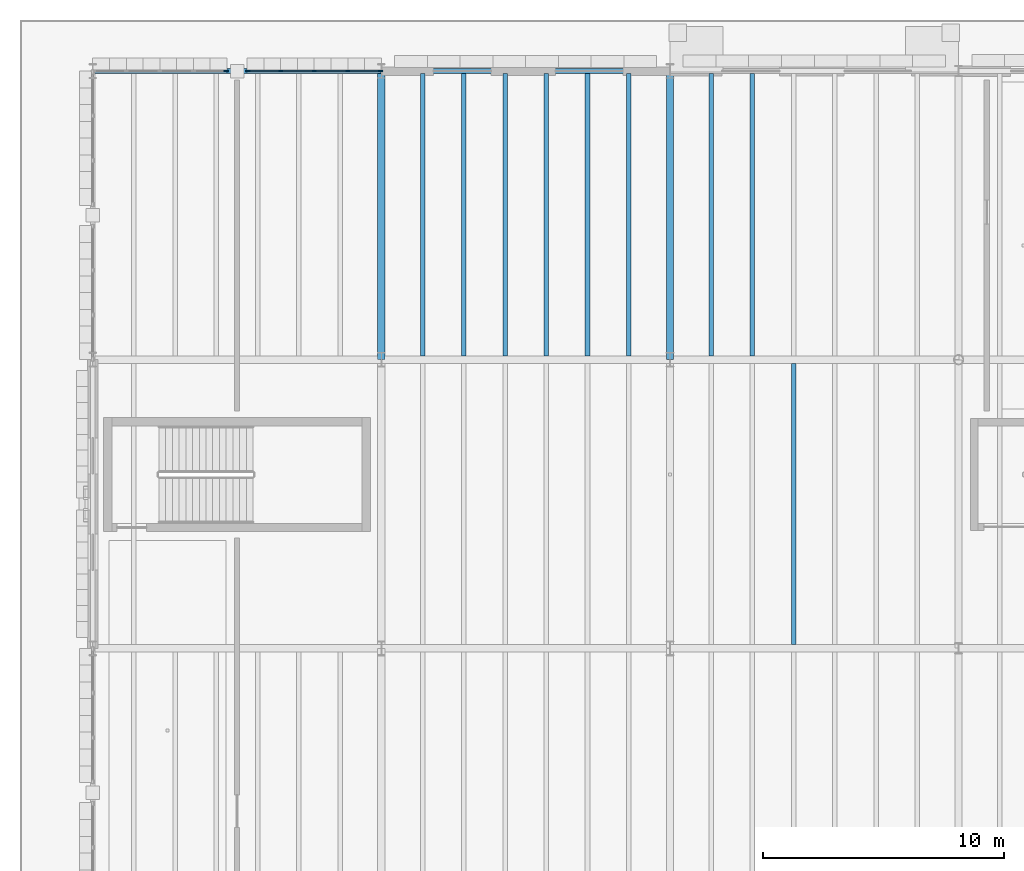
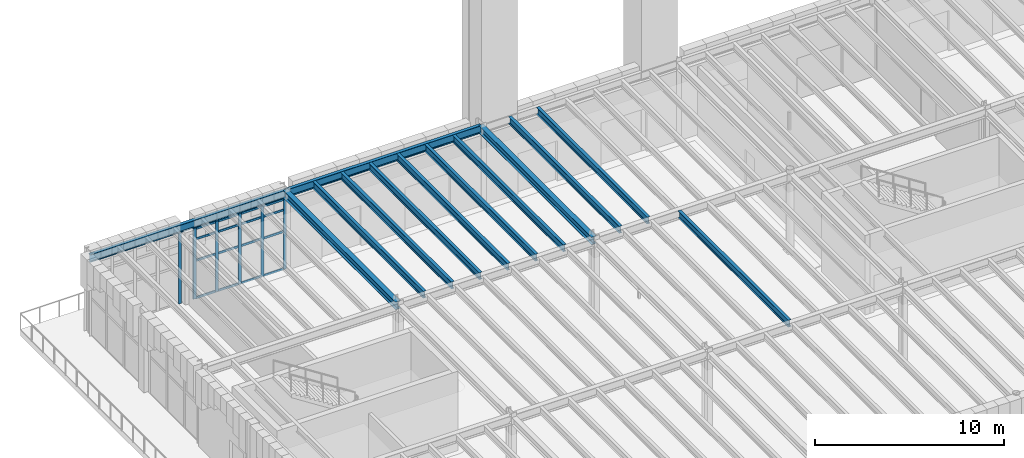
# One storey, part 23 of 103: 22 members, 13 beams, 2 elements without a shape of their own.
"""IFC4 building model written with IfcOpenShell, lengths in metres."""

from ifc_helpers import new_model, si_unit, direction, frame, origin, origin_2d, place, context, subcontext, project, spatial, rectangle, i_section, extrude, material, layer, layer_set, material_profile, profile_set, type_object, element, aggregate, save


model = new_model("IFC4")

# Units and contexts
model_context = context("Model", 3, precision=1e-05, world=origin(), true_north=direction((0.0, 1.0)))
body_context = subcontext(model_context, "Body", "Model", "MODEL_VIEW")
ifc_project = project(units=[si_unit("LENGTHUNIT", "METRE"), si_unit("AREAUNIT", "SQUARE_METRE"), si_unit("VOLUMEUNIT", "CUBIC_METRE"), si_unit("PLANEANGLEUNIT", "RADIAN"), si_unit("MASSUNIT", "GRAM", prefix="KILO")], contexts=[model_context])

# Site, building, storey
site_placement = place(None, origin())
site = spatial("IfcSite", under=ifc_project, at=site_placement, CompositionType="ELEMENT")
building_placement = place(site_placement, origin())
building = spatial("IfcBuilding", under=site, at=building_placement, Name="Zlatogorsky Bluff Art Gallery", CompositionType="ELEMENT")
storey_placement = place(building_placement, origin())
storey = spatial("IfcBuildingStorey", under=building, at=storey_placement, Name="L00", CompositionType="ELEMENT", Elevation=0.0)

# Beams
ifc_material_1 = material(Name="Steel S355", Category="steel")
ifc_material_profile_1 = material_profile(ifc_material_1, i_section(OverallWidth=0.300048828125, OverallDepth=0.489990234375, WebThickness=0.011962890625, FlangeThickness=0.02294921875, FilletRadius=0.027099609375, at=origin_2d()), Name="HEA 500")
ifc_profile_set_1 = profile_set([ifc_material_profile_1], Name="Steel S355")
beam_type_1 = type_object("IfcBeamType", Name="Beam BM-07 HEA 500", PredefinedType="BEAM", material=ifc_profile_set_1)
for number, where, z_axis, x_axis, name in (
    (1, (12.0, 108.014892578125, 4.89501953125), (0.0, 1.0, 0.0), (-1.0, 0.0, 0.0), "Primary girder BM-07 L00 B/11-12"),
    (2, (24.0, 108.014892578125, 4.89501953125), (0.0, 1.0, 0.0), (-1.0, 0.0, 0.0), "Primary girder BM-07 L00 C/11-12"),
):
    element("IfcBeam", number, at=place(storey_placement, frame(where, z_axis=z_axis, x_axis=x_axis)), inside=storey, type_object=beam_type_1, Name=name, PredefinedType="BEAM", context=body_context, shape_type="SweptSolid", body=[
        extrude(i_section(OverallWidth=0.300048828125, OverallDepth=0.489990234375, WebThickness=0.011962890625, FlangeThickness=0.02294921875, FilletRadius=0.027099609375, at=origin_2d()), origin(), (0.0, 0.0, 1.0), 11.97021484375),
    ])
ifc_material_profile_2 = material_profile(ifc_material_1, i_section(OverallWidth=0.18994140625, OverallDepth=0.449951171875, WebThickness=0.009521484375, FlangeThickness=0.0146484375, FilletRadius=0.02099609375, at=origin_2d()), Name="IPE 450")
ifc_profile_set_2 = profile_set([ifc_material_profile_2], Name="Steel S355")
beam_type_2 = type_object("IfcBeamType", Name="Beam JS-06 IPE 450", PredefinedType="JOIST", material=ifc_profile_set_2)
for number, where, z_axis, x_axis, name in (
    (3, (13.71435546875, 108.14990234375, 4.9150390625), (0.0, 1.0, 0.0), (-1.0, 0.0, 0.0), "Composite floor joist JS-06 L00 01.10.1"),
    (4, (15.428466796875, 108.14990234375, 4.9150390625), (0.0, 1.0, 0.0), (-1.0, 0.0, 0.0), "Composite floor joist JS-06 L00 01.10.2"),
    (5, (17.142822265625, 108.14990234375, 4.9150390625), (0.0, 1.0, 0.0), (-1.0, 0.0, 0.0), "Composite floor joist JS-06 L00 01.10.3"),
    (6, (18.857177734375, 108.14990234375, 4.9150390625), (0.0, 1.0, 0.0), (-1.0, 0.0, 0.0), "Composite floor joist JS-06 L00 01.10.4"),
    (7, (20.571533203125, 108.14990234375, 4.9150390625), (0.0, 1.0, 0.0), (-1.0, 0.0, 0.0), "Composite floor joist JS-06 L00 01.10.5"),
    (8, (22.28564453125, 108.14990234375, 4.9150390625), (0.0, 1.0, 0.0), (-1.0, 0.0, 0.0), "Composite floor joist JS-06 L00 01.10.6"),
):
    element("IfcBeam", number, at=place(storey_placement, frame(where, z_axis=z_axis, x_axis=x_axis)), inside=storey, type_object=beam_type_2, Name=name, PredefinedType="JOIST", context=body_context, shape_type="SweptSolid", body=[
        extrude(i_section(OverallWidth=0.18994140625, OverallDepth=0.449951171875, WebThickness=0.009521484375, FlangeThickness=0.0146484375, FilletRadius=0.02099609375, at=origin_2d()), origin(), (0.0, 0.0, 1.0), 11.75),
    ])
beam_placement = place(storey_placement, frame((29.142822265625, 96.14990234375, 4.9150390625), z_axis=(0.0, 1.0, 0.0), x_axis=(-1.0, 0.0, 0.0)))
element("IfcBeam", 9, at=beam_placement, inside=storey, type_object=beam_type_2, Name="Composite floor joist JS-06 L00 02.09.3", PredefinedType="JOIST", context=body_context, shape_type="SweptSolid", body=[
    extrude(i_section(OverallWidth=0.18994140625, OverallDepth=0.449951171875, WebThickness=0.009521484375, FlangeThickness=0.0146484375, FilletRadius=0.02099609375, at=origin_2d()), origin(), (0.0, 0.0, 1.0), 11.7001953125),
])
for number, where, z_axis, x_axis, name in (
    (10, (25.71435546875, 108.14990234375, 4.9150390625), (0.0, 1.0, 0.0), (-1.0, 0.0, 0.0), "Composite floor joist JS-06 L00 02.10.1"),
    (11, (27.428466796875, 108.14990234375, 4.9150390625), (0.0, 1.0, 0.0), (-1.0, 0.0, 0.0), "Composite floor joist JS-06 L00 02.10.2"),
):
    element("IfcBeam", number, at=place(storey_placement, frame(where, z_axis=z_axis, x_axis=x_axis)), inside=storey, type_object=beam_type_2, Name=name, PredefinedType="JOIST", context=body_context, shape_type="SweptSolid", body=[
        extrude(i_section(OverallWidth=0.18994140625, OverallDepth=0.449951171875, WebThickness=0.009521484375, FlangeThickness=0.0146484375, FilletRadius=0.02099609375, at=origin_2d()), origin(), (0.0, 0.0, 1.0), 11.75),
    ])
ifc_material_profile_3 = material_profile(ifc_material_1, i_section(OverallWidth=0.199951171875, OverallDepth=0.5, WebThickness=0.01025390625, FlangeThickness=0.01611328125, FilletRadius=0.02099609375, at=origin_2d()), Name="IPE 500")
ifc_profile_set_3 = profile_set([ifc_material_profile_3], Name="Steel S355")
beam_type_3 = type_object("IfcBeamType", Name="Beam SP-01 IPE 500", PredefinedType="SPANDREL", material=ifc_profile_set_3)
for number, where, z_axis, x_axis, name in (
    (12, (0.014892578125, 120.0, 4.889892578125), (1.0, 0.0, 0.0), (0.0, 1.0, 0.0), "Primary girder SP-01 L00 A-B/12"),
    (13, (12.014892578125, 120.0, 4.889892578125), (1.0, 0.0, 0.0), (0.0, 1.0, 0.0), "Primary girder SP-01 L00 B-C/12"),
):
    element("IfcBeam", number, at=place(storey_placement, frame(where, z_axis=z_axis, x_axis=x_axis)), inside=storey, type_object=beam_type_3, Name=name, PredefinedType="SPANDREL", context=body_context, shape_type="SweptSolid", body=[
        extrude(i_section(OverallWidth=0.199951171875, OverallDepth=0.5, WebThickness=0.01025390625, FlangeThickness=0.01611328125, FilletRadius=0.02099609375, at=origin_2d()), origin(), (0.0, 0.0, 1.0), 11.97021484375),
    ])

# Curtain wall, members
ifc_material_2 = material(Name="Anodised Bronze Aluminium and Low-Iron Triple Glazing", Category="aluminium")
ifc_layer = layer(ifc_material_2, 0.199951171875)
ifc_layer_set = layer_set([ifc_layer], Name="Curtain Wall CW-02")
curtain_wall_type = type_object("IfcCurtainWallType", Name="Curtain Wall CW-02", PredefinedType="USERDEFINED", material=ifc_layer_set)
curtain_wall_1_placement = place(storey_placement, origin())
curtain_wall_1 = element("IfcCurtainWall", 14, at=curtain_wall_1_placement, inside=storey, type_object=curtain_wall_type, Name="Unitised curtain wall CW-02 L00 N 0.10-A", ObjectType="CURTAIN WALL", PredefinedType="USERDEFINED")
ifc_material_3 = material(Name="Anodised Bronze Aluminium", Category="aluminium")
ifc_material_profile_4 = material_profile(ifc_material_3, rectangle(XDim=0.06494140625, YDim=0.179931640625, at=origin_2d()), Name="ALU MULLION 65x180")
ifc_profile_set_4 = profile_set([ifc_material_profile_4], Name="Anodised Bronze Aluminium")
member_type_1 = type_object("IfcMemberType", Name="Curtain Mullion ML-01", PredefinedType="MULLION", material=ifc_profile_set_4)
member_1_placement = place(storey_placement, frame((11.967529296875, 120.0, 0.0), z_axis=(0.0, 0.0, 1.0), x_axis=(0.0, -1.0, 0.0)))
member_1 = element("IfcMember", 15, at=member_1_placement, type_object=member_type_1, Name="CW-02 mullion 1", PredefinedType="MULLION", context=body_context, shape_type="SweptSolid", body=[
    extrude(rectangle(XDim=0.06494140625, YDim=0.179931640625, at=origin_2d()), origin(), (0.0, 0.0, 1.0), 4.56005859375),
])
member_2_placement = place(storey_placement, frame((10.60498046875, 120.0, 0.0), z_axis=(0.0, 0.0, 1.0), x_axis=(0.0, -1.0, 0.0)))
member_2 = element("IfcMember", 16, at=member_2_placement, type_object=member_type_1, Name="CW-02 mullion 2", PredefinedType="MULLION", context=body_context, shape_type="SweptSolid", body=[
    extrude(rectangle(XDim=0.06494140625, YDim=0.179931640625, at=origin_2d()), origin(), (0.0, 0.0, 1.0), 4.56005859375),
])
member_3_placement = place(storey_placement, frame((9.2099609375, 120.0, 0.0), z_axis=(0.0, 0.0, 1.0), x_axis=(0.0, -1.0, 0.0)))
member_3 = element("IfcMember", 17, at=member_3_placement, type_object=member_type_1, Name="CW-02 mullion 3", PredefinedType="MULLION", context=body_context, shape_type="SweptSolid", body=[
    extrude(rectangle(XDim=0.06494140625, YDim=0.179931640625, at=origin_2d()), origin(), (0.0, 0.0, 1.0), 4.56005859375),
])
member_4_placement = place(storey_placement, frame((7.81494140625, 120.0, 0.0), z_axis=(0.0, 0.0, 1.0), x_axis=(0.0, -1.0, 0.0)))
member_4 = element("IfcMember", 18, at=member_4_placement, type_object=member_type_1, Name="CW-02 mullion 4", PredefinedType="MULLION", context=body_context, shape_type="SweptSolid", body=[
    extrude(rectangle(XDim=0.06494140625, YDim=0.179931640625, at=origin_2d()), origin(), (0.0, 0.0, 1.0), 4.56005859375),
])
member_5_placement = place(storey_placement, frame((6.452392578125, 120.0, 0.0), z_axis=(0.0, 0.0, 1.0), x_axis=(0.0, -1.0, 0.0)))
member_5 = element("IfcMember", 19, at=member_5_placement, type_object=member_type_1, Name="CW-02 mullion 5", PredefinedType="MULLION", context=body_context, shape_type="SweptSolid", body=[
    extrude(rectangle(XDim=0.06494140625, YDim=0.179931640625, at=origin_2d()), origin(), (0.0, 0.0, 1.0), 4.56005859375),
])

# Curtain wall, member
curtain_wall_2_placement = place(storey_placement, origin())
curtain_wall_2 = element("IfcCurtainWall", 20, at=curtain_wall_2_placement, inside=storey, type_object=curtain_wall_type, Name="Unitised curtain wall CW-02 L00 N 0.10-B", ObjectType="CURTAIN WALL", PredefinedType="USERDEFINED")
member_6_placement = place(storey_placement, frame((5.547607421875, 120.0, 0.0), z_axis=(0.0, 0.0, 1.0), x_axis=(0.0, -1.0, 0.0)))
member_6 = element("IfcMember", 21, at=member_6_placement, type_object=member_type_1, Name="CW-02 mullion 1", PredefinedType="MULLION", context=body_context, shape_type="SweptSolid", body=[
    extrude(rectangle(XDim=0.06494140625, YDim=0.179931640625, at=origin_2d()), origin(), (0.0, 0.0, 1.0), 4.56005859375),
])
aggregate(curtain_wall_2, [member_6])

# Member
ifc_material_profile_5 = material_profile(ifc_material_3, rectangle(XDim=0.06494140625, YDim=0.139892578125, at=origin_2d()), Name="ALU TRANSOM 65x140")
ifc_profile_set_5 = profile_set([ifc_material_profile_5], Name="Anodised Bronze Aluminium")
member_type_2 = type_object("IfcMemberType", Name="Curtain Transom TR-01", PredefinedType="USERDEFINED", material=ifc_profile_set_5)
member_7_placement = place(storey_placement, frame((11.93505859375, 120.0, 0.032470703125), z_axis=(-1.0, 0.0, 0.0), x_axis=(0.0, -1.0, 0.0)))
member_7 = element("IfcMember", 22, at=member_7_placement, type_object=member_type_2, Name="CW-02 transom 1.1", ObjectType="TRANSOM", PredefinedType="USERDEFINED", context=body_context, shape_type="SweptSolid", body=[
    extrude(rectangle(XDim=0.06494140625, YDim=0.139892578125, at=origin_2d()), origin(), (0.0, 0.0, 1.0), 1.297607421875),
])

member_8_placement = place(storey_placement, frame((11.93505859375, 120.0, 2.449951171875), z_axis=(-1.0, 0.0, 0.0), x_axis=(0.0, -1.0, 0.0)))
member_8 = element("IfcMember", 23, at=member_8_placement, type_object=member_type_2, Name="CW-02 transom 1.2", ObjectType="TRANSOM", PredefinedType="USERDEFINED", context=body_context, shape_type="SweptSolid", body=[
    extrude(rectangle(XDim=0.06494140625, YDim=0.139892578125, at=origin_2d()), origin(), (0.0, 0.0, 1.0), 1.297607421875),
])

member_9_placement = place(storey_placement, frame((11.93505859375, 120.0, 3.85009765625), z_axis=(-1.0, 0.0, 0.0), x_axis=(0.0, -1.0, 0.0)))
member_9 = element("IfcMember", 24, at=member_9_placement, type_object=member_type_2, Name="CW-02 transom 1.3", ObjectType="TRANSOM", PredefinedType="USERDEFINED", context=body_context, shape_type="SweptSolid", body=[
    extrude(rectangle(XDim=0.06494140625, YDim=0.139892578125, at=origin_2d()), origin(), (0.0, 0.0, 1.0), 1.297607421875),
])

member_10_placement = place(storey_placement, frame((11.93505859375, 120.0, 4.527587890625), z_axis=(-1.0, 0.0, 0.0), x_axis=(0.0, -1.0, 0.0)))
member_10 = element("IfcMember", 25, at=member_10_placement, type_object=member_type_2, Name="CW-02 transom 1.4", ObjectType="TRANSOM", PredefinedType="USERDEFINED", context=body_context, shape_type="SweptSolid", body=[
    extrude(rectangle(XDim=0.06494140625, YDim=0.139892578125, at=origin_2d()), origin(), (0.0, 0.0, 1.0), 1.297607421875),
])

member_11_placement = place(storey_placement, frame((10.572509765625, 120.0, 0.032470703125), z_axis=(-1.0, 0.0, 0.0), x_axis=(0.0, -1.0, 0.0)))
member_11 = element("IfcMember", 26, at=member_11_placement, type_object=member_type_2, Name="CW-02 transom 2.1", ObjectType="TRANSOM", PredefinedType="USERDEFINED", context=body_context, shape_type="SweptSolid", body=[
    extrude(rectangle(XDim=0.06494140625, YDim=0.139892578125, at=origin_2d()), origin(), (0.0, 0.0, 1.0), 1.330078125),
])

member_12_placement = place(storey_placement, frame((10.572509765625, 120.0, 2.449951171875), z_axis=(-1.0, 0.0, 0.0), x_axis=(0.0, -1.0, 0.0)))
member_12 = element("IfcMember", 27, at=member_12_placement, type_object=member_type_2, Name="CW-02 transom 2.2", ObjectType="TRANSOM", PredefinedType="USERDEFINED", context=body_context, shape_type="SweptSolid", body=[
    extrude(rectangle(XDim=0.06494140625, YDim=0.139892578125, at=origin_2d()), origin(), (0.0, 0.0, 1.0), 1.330078125),
])

member_13_placement = place(storey_placement, frame((10.572509765625, 120.0, 3.85009765625), z_axis=(-1.0, 0.0, 0.0), x_axis=(0.0, -1.0, 0.0)))
member_13 = element("IfcMember", 28, at=member_13_placement, type_object=member_type_2, Name="CW-02 transom 2.3", ObjectType="TRANSOM", PredefinedType="USERDEFINED", context=body_context, shape_type="SweptSolid", body=[
    extrude(rectangle(XDim=0.06494140625, YDim=0.139892578125, at=origin_2d()), origin(), (0.0, 0.0, 1.0), 1.330078125),
])

member_14_placement = place(storey_placement, frame((10.572509765625, 120.0, 4.527587890625), z_axis=(-1.0, 0.0, 0.0), x_axis=(0.0, -1.0, 0.0)))
member_14 = element("IfcMember", 29, at=member_14_placement, type_object=member_type_2, Name="CW-02 transom 2.4", ObjectType="TRANSOM", PredefinedType="USERDEFINED", context=body_context, shape_type="SweptSolid", body=[
    extrude(rectangle(XDim=0.06494140625, YDim=0.139892578125, at=origin_2d()), origin(), (0.0, 0.0, 1.0), 1.330078125),
])

member_15_placement = place(storey_placement, frame((9.177490234375, 120.0, 0.032470703125), z_axis=(-1.0, 0.0, 0.0), x_axis=(0.0, -1.0, 0.0)))
member_15 = element("IfcMember", 30, at=member_15_placement, type_object=member_type_2, Name="CW-02 transom 3.1", ObjectType="TRANSOM", PredefinedType="USERDEFINED", context=body_context, shape_type="SweptSolid", body=[
    extrude(rectangle(XDim=0.06494140625, YDim=0.139892578125, at=origin_2d()), origin(), (0.0, 0.0, 1.0), 1.330078125),
])

member_16_placement = place(storey_placement, frame((9.177490234375, 120.0, 2.449951171875), z_axis=(-1.0, 0.0, 0.0), x_axis=(0.0, -1.0, 0.0)))
member_16 = element("IfcMember", 31, at=member_16_placement, type_object=member_type_2, Name="CW-02 transom 3.2", ObjectType="TRANSOM", PredefinedType="USERDEFINED", context=body_context, shape_type="SweptSolid", body=[
    extrude(rectangle(XDim=0.06494140625, YDim=0.139892578125, at=origin_2d()), origin(), (0.0, 0.0, 1.0), 1.330078125),
])

member_17_placement = place(storey_placement, frame((9.177490234375, 120.0, 3.85009765625), z_axis=(-1.0, 0.0, 0.0), x_axis=(0.0, -1.0, 0.0)))
member_17 = element("IfcMember", 32, at=member_17_placement, type_object=member_type_2, Name="CW-02 transom 3.3", ObjectType="TRANSOM", PredefinedType="USERDEFINED", context=body_context, shape_type="SweptSolid", body=[
    extrude(rectangle(XDim=0.06494140625, YDim=0.139892578125, at=origin_2d()), origin(), (0.0, 0.0, 1.0), 1.330078125),
])

member_18_placement = place(storey_placement, frame((9.177490234375, 120.0, 4.527587890625), z_axis=(-1.0, 0.0, 0.0), x_axis=(0.0, -1.0, 0.0)))
member_18 = element("IfcMember", 33, at=member_18_placement, type_object=member_type_2, Name="CW-02 transom 3.4", ObjectType="TRANSOM", PredefinedType="USERDEFINED", context=body_context, shape_type="SweptSolid", body=[
    extrude(rectangle(XDim=0.06494140625, YDim=0.139892578125, at=origin_2d()), origin(), (0.0, 0.0, 1.0), 1.330078125),
])

member_19_placement = place(storey_placement, frame((7.782470703125, 120.0, 0.032470703125), z_axis=(-1.0, 0.0, 0.0), x_axis=(0.0, -1.0, 0.0)))
member_19 = element("IfcMember", 34, at=member_19_placement, type_object=member_type_2, Name="CW-02 transom 4.1", ObjectType="TRANSOM", PredefinedType="USERDEFINED", context=body_context, shape_type="SweptSolid", body=[
    extrude(rectangle(XDim=0.06494140625, YDim=0.139892578125, at=origin_2d()), origin(), (0.0, 0.0, 1.0), 1.29736328125),
])

member_20_placement = place(storey_placement, frame((7.782470703125, 120.0, 2.449951171875), z_axis=(-1.0, 0.0, 0.0), x_axis=(0.0, -1.0, 0.0)))
member_20 = element("IfcMember", 35, at=member_20_placement, type_object=member_type_2, Name="CW-02 transom 4.2", ObjectType="TRANSOM", PredefinedType="USERDEFINED", context=body_context, shape_type="SweptSolid", body=[
    extrude(rectangle(XDim=0.06494140625, YDim=0.139892578125, at=origin_2d()), origin(), (0.0, 0.0, 1.0), 1.29736328125),
])

member_21_placement = place(storey_placement, frame((7.782470703125, 120.0, 3.85009765625), z_axis=(-1.0, 0.0, 0.0), x_axis=(0.0, -1.0, 0.0)))
member_21 = element("IfcMember", 36, at=member_21_placement, type_object=member_type_2, Name="CW-02 transom 4.3", ObjectType="TRANSOM", PredefinedType="USERDEFINED", context=body_context, shape_type="SweptSolid", body=[
    extrude(rectangle(XDim=0.06494140625, YDim=0.139892578125, at=origin_2d()), origin(), (0.0, 0.0, 1.0), 1.29736328125),
])

member_22_placement = place(storey_placement, frame((7.782470703125, 120.0, 4.527587890625), z_axis=(-1.0, 0.0, 0.0), x_axis=(0.0, -1.0, 0.0)))
member_22 = element("IfcMember", 37, at=member_22_placement, type_object=member_type_2, Name="CW-02 transom 4.4", ObjectType="TRANSOM", PredefinedType="USERDEFINED", context=body_context, shape_type="SweptSolid", body=[
    extrude(rectangle(XDim=0.06494140625, YDim=0.139892578125, at=origin_2d()), origin(), (0.0, 0.0, 1.0), 1.29736328125),
])

aggregate(curtain_wall_1, [member_1, member_2, member_3, member_4, member_5, member_7, member_8, member_9, member_10, member_11, member_12, member_13, member_14, member_15, member_16, member_17, member_18, member_19, member_20, member_21, member_22])

save(model, "model.ifc")
